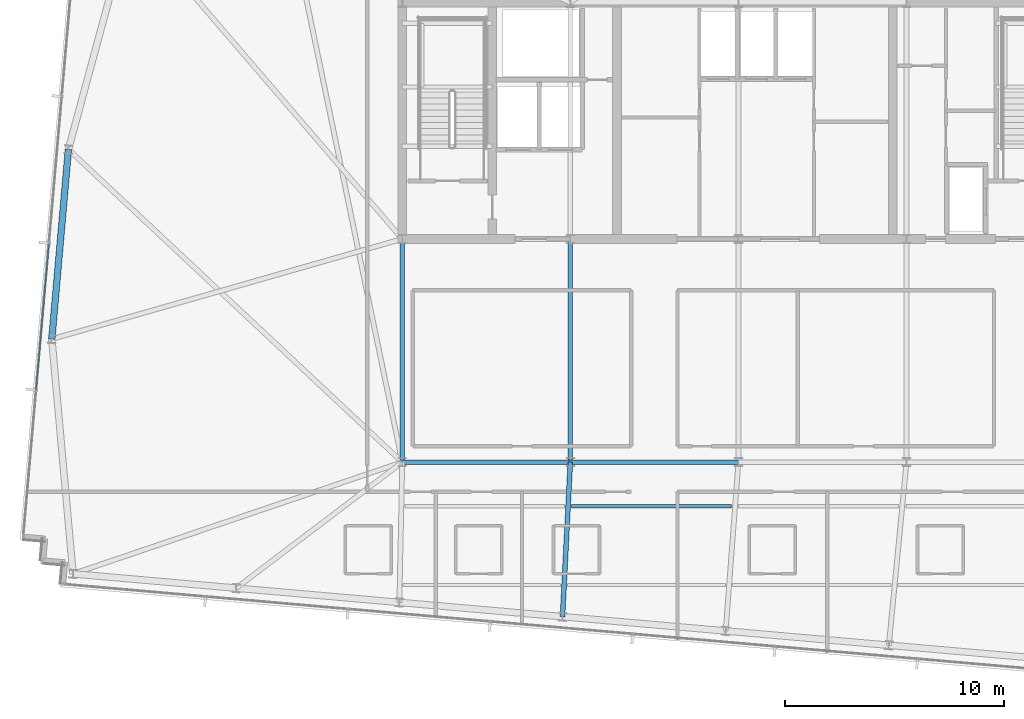
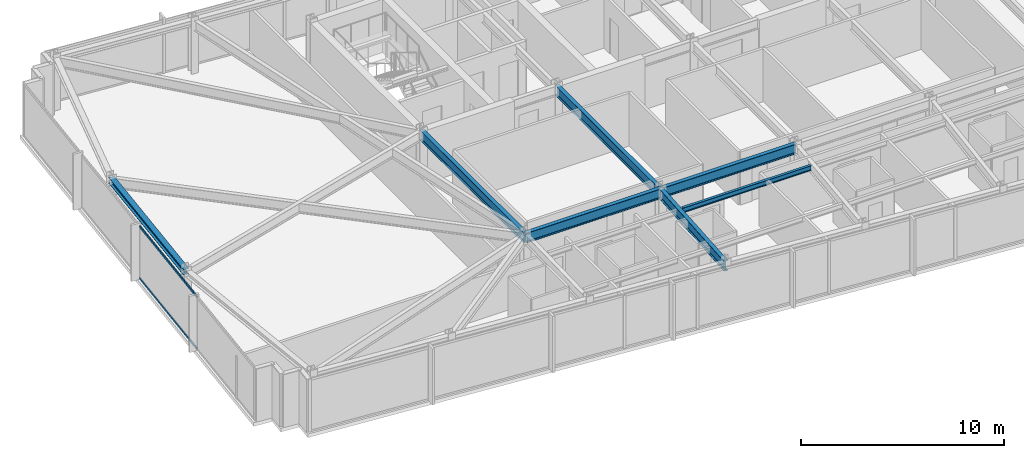
# One storey, part 8 of 33: 7 beams, 2 members, 1 element without a shape of its own.
"""IFC4 building model written with IfcOpenShell, lengths in metres."""

from ifc_helpers import new_model, si_unit, direction, frame, origin, origin_2d, place, context, subcontext, project, spatial, hollow_rectangle, i_section, extrude, material, material_profile, profile_set, type_object, element, aggregate, save


model = new_model("IFC4")

# Units and contexts
model_context = context("Model", 3, precision=1e-05, world=origin(), true_north=direction((0.0, 1.0)))
body_context = subcontext(model_context, "Body", "Model", "MODEL_VIEW")
ifc_project = project(units=[si_unit("LENGTHUNIT", "METRE"), si_unit("AREAUNIT", "SQUARE_METRE"), si_unit("VOLUMEUNIT", "CUBIC_METRE"), si_unit("PLANEANGLEUNIT", "RADIAN"), si_unit("MASSUNIT", "GRAM", prefix="KILO")], contexts=[model_context])

# Site, building, storey
site_placement = place(None, origin())
site = spatial("IfcSite", under=ifc_project, at=site_placement, CompositionType="ELEMENT")
building_placement = place(site_placement, origin())
building = spatial("IfcBuilding", under=site, at=building_placement, Name="Yelkora Congress Tower", CompositionType="ELEMENT")
storey_placement = place(building_placement, frame((0.0, 0.0, 286.300048828125)))
storey = spatial("IfcBuildingStorey", under=building, at=storey_placement, Name="L80", CompositionType="ELEMENT", Elevation=286.300048828125)

# Beams
ifc_material_1 = material(Name="Steel S355J2", Category="steel")
ifc_material_profile_1 = material_profile(ifc_material_1, i_section(OverallWidth=0.219970703125, OverallDepth=0.60009765625, WebThickness=0.011962890625, FlangeThickness=0.01904296875, FilletRadius=0.02392578125, at=origin_2d()), Name="IPE 600")
ifc_profile_set_1 = profile_set([ifc_material_profile_1], Name="Steel S355J2")
beam_type_1 = type_object("IfcBeamType", Name="BM-GIRD-IPE600", PredefinedType="BEAM", material=ifc_profile_set_1)
for number, where, z_axis, x_axis, name in (
    (1, (23.0400390625, 25.199951171875, 2.8798828125), (1.0, 0.0, 0.0), (0.0, 1.0, 0.0), "L80 Spine Grid D Girder 1"),
    (2, (30.719970703125, 25.199951171875, 2.8798828125), (1.0, 0.0, 0.0), (0.0, 1.0, 0.0), "L80 Spine Grid D Girder 2"),
):
    element("IfcBeam", number, at=place(storey_placement, frame(where, z_axis=z_axis, x_axis=x_axis)), inside=storey, type_object=beam_type_1, Name=name, PredefinedType="BEAM", context=body_context, shape_type="SweptSolid", body=[
        extrude(i_section(OverallWidth=0.219970703125, OverallDepth=0.60009765625, WebThickness=0.011962890625, FlangeThickness=0.01904296875, FilletRadius=0.02392578125, at=origin_2d()), origin(), (0.0, 0.0, 1.0), 7.679931640625),
    ])
for number, where, z_axis, x_axis, name in (
    (3, (23.0400390625, 25.199951171875, 2.8798828125), (0.0, 1.0, 0.0), (-1.0, 0.0, 0.0), "L80 Core Tie Girder MC-D1"),
    (4, (30.719970703125, 25.199951171875, 2.8798828125), (0.0, 1.0, 0.0), (-1.0, 0.0, 0.0), "L80 Core Tie Girder MC-D2"),
):
    element("IfcBeam", number, at=place(storey_placement, frame(where, z_axis=z_axis, x_axis=x_axis)), inside=storey, type_object=beam_type_1, Name=name, PredefinedType="BEAM", context=body_context, shape_type="SweptSolid", body=[
        extrude(i_section(OverallWidth=0.219970703125, OverallDepth=0.60009765625, WebThickness=0.011962890625, FlangeThickness=0.01904296875, FilletRadius=0.02392578125, at=origin_2d()), origin(), (0.0, 0.0, 1.0), 10.199951171875),
    ])
beam_1_placement = place(storey_placement, frame((30.362548828125, 18.14111328125, 2.8798828125), z_axis=(0.050569876836, 0.998720525251, 0.0), x_axis=(-0.998720525251, 0.050569876836, 0.0)))
element("IfcBeam", 5, at=beam_1_placement, inside=storey, type_object=beam_type_1, Name="L80 Primary Frame Girder S04", PredefinedType="BEAM", context=body_context, shape_type="SweptSolid", body=[
    extrude(i_section(OverallWidth=0.219970703125, OverallDepth=0.60009765625, WebThickness=0.011962890625, FlangeThickness=0.01904296875, FilletRadius=0.02392578125, at=origin_2d()), origin(), (0.0, 0.0, 1.0), 7.06787109375),
])
ifc_material_profile_2 = material_profile(ifc_material_1, i_section(OverallWidth=0.14990234375, OverallDepth=0.300048828125, WebThickness=0.007080078125, FlangeThickness=0.0107421875, FilletRadius=0.014892578125, at=origin_2d()), Name="IPE 300")
ifc_profile_set_2 = profile_set([ifc_material_profile_2], Name="Steel S355J2")
beam_type_2 = type_object("IfcBeamType", Name="BM-JOIST-IPE300", PredefinedType="JOIST", material=ifc_profile_set_2)
beam_2_placement = place(storey_placement, frame((30.778076171875, 23.1845703125, 3.030029296875), z_axis=(1.0, 0.0, 0.0), x_axis=(0.0, 1.0, 0.0)))
element("IfcBeam", 6, at=beam_2_placement, inside=storey, type_object=beam_type_2, Name="L80 Composite Floor Joist 6", PredefinedType="JOIST", context=body_context, shape_type="SweptSolid", body=[
    extrude(i_section(OverallWidth=0.14990234375, OverallDepth=0.300048828125, WebThickness=0.007080078125, FlangeThickness=0.0107421875, FilletRadius=0.014892578125, at=origin_2d()), origin(), (0.0, 0.0, 1.0), 7.3095703125),
])
ifc_material_profile_3 = material_profile(ifc_material_1, i_section(OverallWidth=0.300048828125, OverallDepth=0.340087890625, WebThickness=0.011962890625, FlangeThickness=0.021484375, FilletRadius=0.027099609375, at=origin_2d()), Name="HEB 340")
ifc_profile_set_3 = profile_set([ifc_material_profile_3], Name="Steel S355J2")
beam_type_3 = type_object("IfcBeamType", Name="BM-SPAN-HEB340", PredefinedType="SPANDREL", material=ifc_profile_set_3)
beam_3_placement = place(storey_placement, frame((7.787353515625, 39.489990234375, 3.010009765625), z_axis=(-0.08715998813, -0.99619432666, 0.0), x_axis=(0.99619432666, -0.08715998813, 0.0)))
element("IfcBeam", 7, at=beam_3_placement, inside=storey, type_object=beam_type_3, Name="L80 Perimeter Beam 14", PredefinedType="SPANDREL", context=body_context, shape_type="SweptSolid", body=[
    extrude(i_section(OverallWidth=0.300048828125, OverallDepth=0.340087890625, WebThickness=0.011962890625, FlangeThickness=0.021484375, FilletRadius=0.027099609375, at=origin_2d()), origin(), (0.0, 0.0, 1.0), 8.7001953125),
])

# Curtain wall, members
ifc_material_2 = material(Name="Anodised aluminium and insulated glass", Category="aluminium")
curtain_wall_type = type_object("IfcCurtainWallType", Name="CW-SYS-B5", PredefinedType="NOTDEFINED", material=ifc_material_2)
curtain_wall_placement = place(storey_placement, origin())
curtain_wall = element("IfcCurtainWall", 8, at=curtain_wall_placement, inside=storey, type_object=curtain_wall_type, Name="L80 Unitised Curtain Wall 5", PredefinedType="NOTDEFINED")
ifc_material_3 = material(Name="Anodised aluminium 6063-T6", Category="aluminium")
ifc_material_profile_4 = material_profile(ifc_material_3, hollow_rectangle(XDim=0.06005859375, YDim=0.1298828125, WallThickness=0.00390625, at=origin_2d()), Name="ALU 60x130x4")
ifc_profile_set_4 = profile_set([ifc_material_profile_4], Name="Anodised aluminium 6063-T6")
member_type = type_object("IfcMemberType", Name="MEM-TR-B5", PredefinedType="USERDEFINED", material=ifc_profile_set_4)
member_1_placement = place(storey_placement, frame((6.31640625, 28.529052734375, 0.030029296875), z_axis=(0.087182854761, 0.996192325726, 0.0), x_axis=(-0.996192325726, 0.087182854761, 0.0)))
member_1 = element("IfcMember", 9, at=member_1_placement, type_object=member_type, Name="CW-B5 transom 2.1", ObjectType="TRANSOM", PredefinedType="USERDEFINED", context=body_context, shape_type="SweptSolid", body=[
    extrude(hollow_rectangle(XDim=0.06005859375, YDim=0.1298828125, WallThickness=0.00390625, at=origin_2d()), origin(), (0.0, 0.0, 1.0), 6.664794921875),
])
member_2_placement = place(storey_placement, frame((6.31640625, 28.529052734375, 3.14990234375), z_axis=(0.087182854761, 0.996192325726, 0.0), x_axis=(-0.996192325726, 0.087182854761, 0.0)))
member_2 = element("IfcMember", 10, at=member_2_placement, type_object=member_type, Name="CW-B5 transom 2.2", ObjectType="TRANSOM", PredefinedType="USERDEFINED", context=body_context, shape_type="SweptSolid", body=[
    extrude(hollow_rectangle(XDim=0.06005859375, YDim=0.1298828125, WallThickness=0.00390625, at=origin_2d()), origin(), (0.0, 0.0, 1.0), 6.664794921875),
])
aggregate(curtain_wall, [member_1, member_2])

save(model, "model.ifc")
